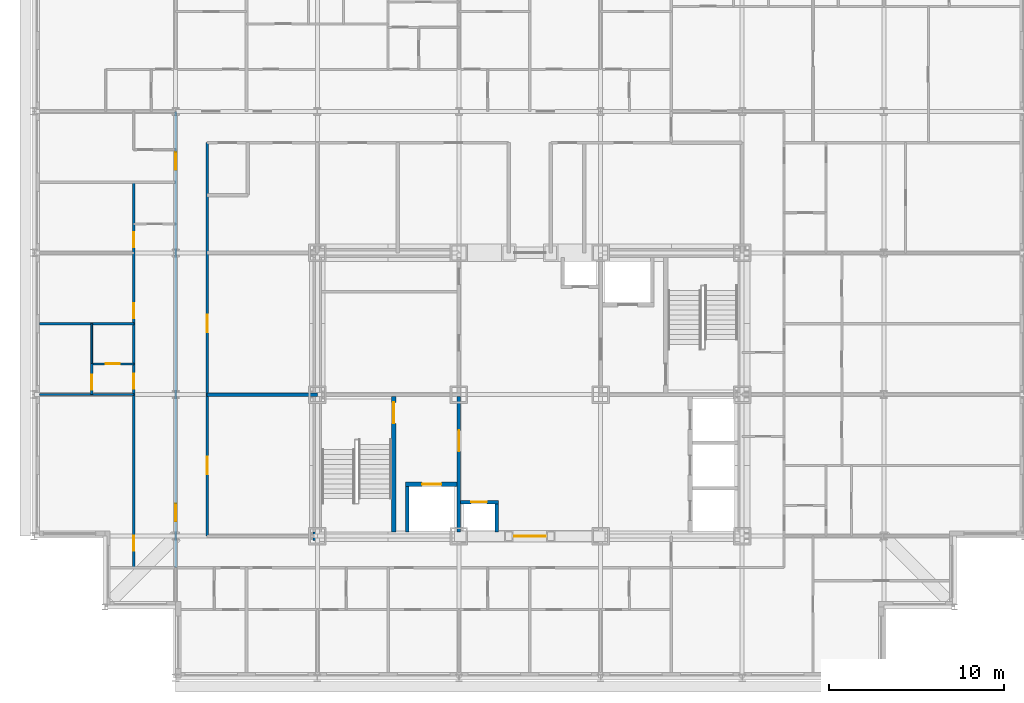
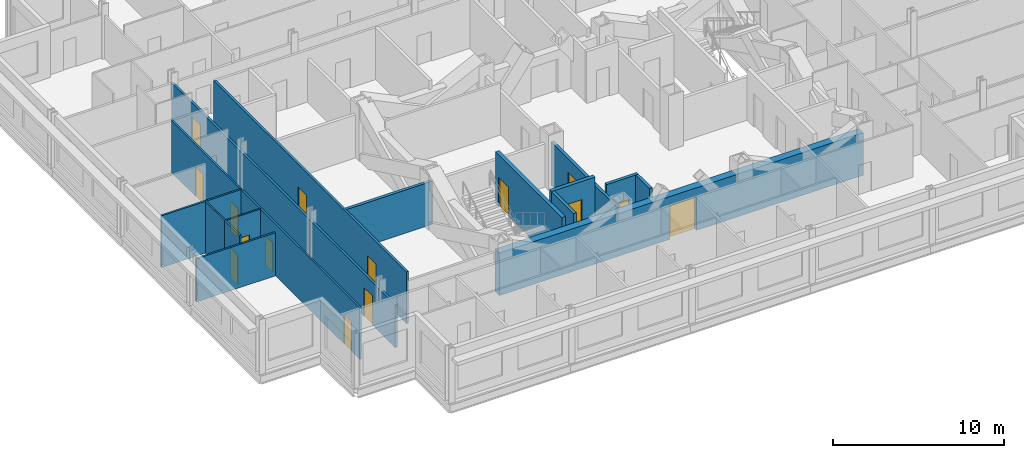
# One storey, part 8 of 16: 16 walls, 15 doors, 15 openings.
"""IFC4 building model written with IfcOpenShell, lengths in metres."""

from ifc_helpers import new_model, si_unit, direction, frame, frame_2d, origin, place, context, subcontext, project, spatial, rectangle, extrude, material, layer, layer_set, type_object, element, fill, save


model = new_model("IFC4")

# Units and contexts
model_context = context("Model", 3, precision=1e-05, world=origin(), true_north=direction((0.0, 1.0)))
body_context = subcontext(model_context, "Body", "Model", "MODEL_VIEW")
ifc_project = project(units=[si_unit("LENGTHUNIT", "METRE"), si_unit("AREAUNIT", "SQUARE_METRE"), si_unit("VOLUMEUNIT", "CUBIC_METRE"), si_unit("PLANEANGLEUNIT", "RADIAN"), si_unit("MASSUNIT", "GRAM", prefix="KILO")], contexts=[model_context])

# Site, building, storey
site_placement = place(None, origin())
site = spatial("IfcSite", under=ifc_project, at=site_placement, CompositionType="ELEMENT")
building_placement = place(site_placement, origin())
building = spatial("IfcBuilding", under=site, at=building_placement, Name="Kopane Lantern Tower", CompositionType="ELEMENT")
storey_placement = place(building_placement, frame((0.0, 0.0, 258.0)))
storey = spatial("IfcBuildingStorey", under=building, at=storey_placement, Name="L66", CompositionType="ELEMENT", Elevation=258.0)

# Wall, openings, doors
ifc_material_1 = material(Name="Gypsum board on steel studs", Category="steel")
ifc_layer_1 = layer(ifc_material_1, 0.1201171875)
ifc_layer_set_1 = layer_set([ifc_layer_1], Name="APARTMENT INTERNAL WALL 120")
wall_type_1 = type_object("IfcWallType", Name="APARTMENT INTERNAL WALL 120", PredefinedType="PARTITIONING", material=ifc_layer_set_1)
wall_1_placement = place(storey_placement, frame((5.699951171875, 22.5, 0.0), z_axis=(0.0, 0.0, 1.0), x_axis=(0.0, 1.0, 0.0)))
wall_1 = element("IfcWall", 1, at=wall_1_placement, inside=storey, type_object=wall_type_1, Name="Apartment Internal Wall 120 L66", PredefinedType="PARTITIONING", context=body_context, shape_type="SweptSolid", body=[
    extrude(rectangle(XDim=22.050048828125, YDim=0.1201171875, at=frame_2d((11.02490234375, 0.0))), origin(), (0.0, 0.0, 1.0), 3.68994140625),
])
opening_1_placement = place(wall_1_placement, frame((0.97509765625, 0.0, 0.0)))
opening_1 = element("IfcOpeningElement", 2, at=opening_1_placement, cuts=wall_1, Name="Opening L66-033", PredefinedType="OPENING", context=body_context, shape_type="SweptSolid", body=[
    extrude(rectangle(XDim=0.85009765625, YDim=2.10009765625, at=frame_2d((0.425048828125, 1.050048828125))), frame((0.0, 0.070068359375, 0.0), z_axis=(0.0, -1.0, 0.0), x_axis=(1.0, 0.0, 0.0)), (0.0, 0.0, 1.0), 0.14013671875),
])
opening_2_placement = place(wall_1_placement, frame((10.22509765625, 0.0, 0.0)))
opening_2 = element("IfcOpeningElement", 3, at=opening_2_placement, cuts=wall_1, Name="Opening L66-035", PredefinedType="OPENING", context=body_context, shape_type="SweptSolid", body=[
    extrude(rectangle(XDim=0.85009765625, YDim=2.10009765625, at=frame_2d((0.425048828125, 1.050048828125))), frame((0.0, 0.070068359375, 0.0), z_axis=(0.0, -1.0, 0.0), x_axis=(1.0, 0.0, 0.0)), (0.0, 0.0, 1.0), 0.14013671875),
])
opening_3_placement = place(wall_1_placement, frame((14.27490234375, 0.0, 0.0)))
opening_3 = element("IfcOpeningElement", 4, at=opening_3_placement, cuts=wall_1, Name="Opening L66-036", PredefinedType="OPENING", context=body_context, shape_type="SweptSolid", body=[
    extrude(rectangle(XDim=0.85009765625, YDim=2.10009765625, at=frame_2d((0.425048828125, 1.050048828125))), frame((0.0, 0.070068359375, 0.0), z_axis=(0.0, -1.0, 0.0), x_axis=(1.0, 0.0, 0.0)), (0.0, 0.0, 1.0), 0.14013671875),
])
opening_4_placement = place(wall_1_placement, frame((18.324951171875, 0.0, 0.0)))
opening_4 = element("IfcOpeningElement", 5, at=opening_4_placement, cuts=wall_1, Name="Opening L66-037", PredefinedType="OPENING", context=body_context, shape_type="SweptSolid", body=[
    extrude(rectangle(XDim=0.85009765625, YDim=2.10009765625, at=frame_2d((0.425048828125, 1.050048828125))), frame((0.0, 0.070068359375, 0.0), z_axis=(0.0, -1.0, 0.0), x_axis=(1.0, 0.0, 0.0)), (0.0, 0.0, 1.0), 0.14013671875),
])
ifc_material_2 = material(Name="Timber door set", Category="wood")
door_type_1 = type_object("IfcDoorType", Name="DOOR D4 850x2100", OperationType="SINGLE_SWING_LEFT", PredefinedType="DOOR", material=ifc_material_2)
door_1_placement = place(opening_1_placement, origin())
door_1 = element("IfcDoor", 6, at=door_1_placement, inside=storey, type_object=door_type_1, Name="Door L66-033", OperationType="SINGLE_SWING_RIGHT", OverallHeight=2.10009765625, OverallWidth=0.85009765625, PredefinedType="DOOR", context=body_context, shape_type="SweptSolid", body=[
    extrude(rectangle(XDim=0.85009765625, YDim=2.10009765625, at=frame_2d((0.425048828125, 1.050048828125))), frame((0.0, 0.02490234375, 0.0), z_axis=(0.0, -1.0, 0.0), x_axis=(1.0, 0.0, 0.0)), (0.0, 0.0, 1.0), 0.050048828125),
])
fill(opening_1, door_1)
door_2_placement = place(opening_2_placement, origin())
door_2 = element("IfcDoor", 7, at=door_2_placement, inside=storey, type_object=door_type_1, Name="Door L66-035", OperationType="SINGLE_SWING_LEFT", OverallHeight=2.10009765625, OverallWidth=0.85009765625, PredefinedType="DOOR", context=body_context, shape_type="SweptSolid", body=[
    extrude(rectangle(XDim=0.85009765625, YDim=2.10009765625, at=frame_2d((0.425048828125, 1.050048828125))), frame((0.0, 0.02490234375, 0.0), z_axis=(0.0, -1.0, 0.0), x_axis=(1.0, 0.0, 0.0)), (0.0, 0.0, 1.0), 0.050048828125),
])
fill(opening_2, door_2)
door_3_placement = place(opening_3_placement, origin())
door_3 = element("IfcDoor", 8, at=door_3_placement, inside=storey, type_object=door_type_1, Name="Door L66-036", OperationType="SINGLE_SWING_LEFT", OverallHeight=2.10009765625, OverallWidth=0.85009765625, PredefinedType="DOOR", context=body_context, shape_type="SweptSolid", body=[
    extrude(rectangle(XDim=0.85009765625, YDim=2.10009765625, at=frame_2d((0.425048828125, 1.050048828125))), frame((0.0, 0.02490234375, 0.0), z_axis=(0.0, -1.0, 0.0), x_axis=(1.0, 0.0, 0.0)), (0.0, 0.0, 1.0), 0.050048828125),
])
fill(opening_3, door_3)
door_4_placement = place(opening_4_placement, origin())
door_4 = element("IfcDoor", 9, at=door_4_placement, inside=storey, type_object=door_type_1, Name="Door L66-037", OperationType="SINGLE_SWING_LEFT", OverallHeight=2.10009765625, OverallWidth=0.85009765625, PredefinedType="DOOR", context=body_context, shape_type="SweptSolid", body=[
    extrude(rectangle(XDim=0.85009765625, YDim=2.10009765625, at=frame_2d((0.425048828125, 1.050048828125))), frame((0.0, 0.02490234375, 0.0), z_axis=(0.0, -1.0, 0.0), x_axis=(1.0, 0.0, 0.0)), (0.0, 0.0, 1.0), 0.050048828125),
])
fill(opening_4, door_4)

# Walls
wall_2_placement = place(storey_placement, frame((5.699951171875, 32.39990234375, 0.0), z_axis=(0.0, 0.0, 1.0), x_axis=(-1.0, 0.0, 0.0)))
element("IfcWall", 10, at=wall_2_placement, inside=storey, type_object=wall_type_1, Name="Apartment Internal Wall 120 L66", PredefinedType="PARTITIONING", context=body_context, shape_type="SweptSolid", body=[
    extrude(rectangle(XDim=5.39990234375, YDim=0.1201171875, at=frame_2d((2.699951171875, 0.0))), origin(), (0.0, 0.0, 1.0), 3.077880859375),
])
wall_3_placement = place(storey_placement, frame((5.699951171875, 36.449951171875, 0.0), z_axis=(0.0, 0.0, 1.0), x_axis=(-1.0, 0.0, 0.0)))
element("IfcWall", 11, at=wall_3_placement, inside=storey, type_object=wall_type_1, Name="Apartment Internal Wall 120 L66", PredefinedType="PARTITIONING", context=body_context, shape_type="SweptSolid", body=[
    extrude(rectangle(XDim=5.39990234375, YDim=0.1201171875, at=frame_2d((2.699951171875, 0.0))), origin(), (0.0, 0.0, 1.0), 3.68994140625),
])

# Wall, opening, door
wall_4_placement = place(storey_placement, frame((3.300048828125, 32.39990234375, 0.0), z_axis=(0.0, 0.0, 1.0), x_axis=(0.0, 1.0, 0.0)))
wall_4 = element("IfcWall", 12, at=wall_4_placement, inside=storey, type_object=wall_type_1, Name="Apartment Internal Wall 120 L66", PredefinedType="PARTITIONING", context=body_context, shape_type="SweptSolid", body=[
    extrude(rectangle(XDim=1.760009765625, YDim=0.1201171875, at=frame_2d((0.8798828125, 0.0))), origin(), (0.0, 0.0, 1.0), 3.68994140625),
])
opening_5_placement = place(wall_4_placement, frame((0.27490234375, 0.0, 0.0)))
opening_5 = element("IfcOpeningElement", 13, at=opening_5_placement, cuts=wall_4, Name="Opening L66-066", PredefinedType="OPENING", context=body_context, shape_type="SweptSolid", body=[
    extrude(rectangle(XDim=0.85009765625, YDim=2.10009765625, at=frame_2d((0.425048828125, 1.050048828125))), frame((0.0, 0.070068359375, 0.0), z_axis=(0.0, -1.0, 0.0), x_axis=(1.0, 0.0, 0.0)), (0.0, 0.0, 1.0), 0.14013671875),
])
door_5_placement = place(opening_5_placement, origin())
door_5 = element("IfcDoor", 14, at=door_5_placement, inside=storey, type_object=door_type_1, Name="Door L66-066", OperationType="SINGLE_SWING_LEFT", OverallHeight=2.10009765625, OverallWidth=0.85009765625, PredefinedType="DOOR", context=body_context, shape_type="SweptSolid", body=[
    extrude(rectangle(XDim=0.85009765625, YDim=2.10009765625, at=frame_2d((0.425048828125, 1.050048828125))), frame((0.0, 0.02490234375, 0.0), z_axis=(0.0, -1.0, 0.0), x_axis=(1.0, 0.0, 0.0)), (0.0, 0.0, 1.0), 0.050048828125),
])
fill(opening_5, door_5)

ifc_material_3 = material(Name="Moisture-resistant board on steel studs", Category="steel")
ifc_layer_2 = layer(ifc_material_3, 0.10009765625)
ifc_layer_set_2 = layer_set([ifc_layer_2], Name="BATHROOM WALL 100")
wall_type_2 = type_object("IfcWallType", Name="BATHROOM WALL 100", PredefinedType="PARTITIONING", material=ifc_layer_set_2)
wall_5_placement = place(storey_placement, frame((5.699951171875, 34.14990234375, 0.0), z_axis=(0.0, 0.0, 1.0), x_axis=(-1.0, 0.0, 0.0)))
wall_5 = element("IfcWall", 15, at=wall_5_placement, inside=storey, type_object=wall_type_2, Name="Bathroom Wall 100 L66", PredefinedType="PARTITIONING", context=body_context, shape_type="SweptSolid", body=[
    extrude(rectangle(XDim=2.39990234375, YDim=0.10009765625, at=frame_2d((1.199951171875, 0.0))), origin(), (0.0, 0.0, 1.0), 3.68994140625),
])
opening_6_placement = place(wall_5_placement, frame((0.800048828125, 0.0, 0.0)))
opening_6 = element("IfcOpeningElement", 16, at=opening_6_placement, cuts=wall_5, Name="Opening L66-034", PredefinedType="OPENING", context=body_context, shape_type="SweptSolid", body=[
    extrude(rectangle(XDim=0.800048828125, YDim=2.10009765625, at=frame_2d((0.39990234375, 1.050048828125))), frame((0.0, 0.06005859375, 0.0), z_axis=(0.0, -1.0, 0.0), x_axis=(1.0, 0.0, 0.0)), (0.0, 0.0, 1.0), 0.1201171875),
])
ifc_material_4 = material(Name="Timber door set", Category="wood")
door_type_2 = type_object("IfcDoorType", Name="DOOR D2 800x2100", OperationType="SINGLE_SWING_LEFT", PredefinedType="DOOR", material=ifc_material_4)
door_6_placement = place(opening_6_placement, origin())
door_6 = element("IfcDoor", 17, at=door_6_placement, inside=storey, type_object=door_type_2, Name="Door L66-034", OperationType="SINGLE_SWING_RIGHT", OverallHeight=2.10009765625, OverallWidth=0.800048828125, PredefinedType="DOOR", context=body_context, shape_type="SweptSolid", body=[
    extrude(rectangle(XDim=0.800048828125, YDim=2.10009765625, at=frame_2d((0.39990234375, 1.050048828125))), frame((0.0, 0.02490234375, 0.0), z_axis=(0.0, -1.0, 0.0), x_axis=(1.0, 0.0, 0.0)), (0.0, 0.0, 1.0), 0.050048828125),
])
fill(opening_6, door_6)

# Wall
wall_6_placement = place(storey_placement, frame((3.300048828125, 34.14990234375, 0.0), z_axis=(0.0, 0.0, 1.0), x_axis=(0.0, 1.0, 0.0)))
element("IfcWall", 18, at=wall_6_placement, inside=storey, type_object=wall_type_2, Name="Bathroom Wall 100 L66", PredefinedType="PARTITIONING", context=body_context, shape_type="SweptSolid", body=[
    extrude(rectangle(XDim=2.300048828125, YDim=0.10009765625, at=frame_2d((1.14990234375, 0.0))), origin(), (0.0, 0.0, 1.0), 3.68994140625),
])

# Wall, opening, door
ifc_material_5 = material(Name="Gypsum shaft wall EI 120", Category="gypsum")
ifc_layer_3 = layer(ifc_material_5, 0.5)
ifc_layer_set_3 = layer_set([ifc_layer_3], Name="CORE PERIMETER WALL 500 EI 120")
wall_type_3 = type_object("IfcWallType", Name="CORE PERIMETER WALL 500 EI 120", PredefinedType="SOLIDWALL", material=ifc_layer_set_3)
wall_7_placement = place(storey_placement, frame((15.949951171875, 24.300048828125, 0.0), z_axis=(0.0, 0.0, 1.0), x_axis=(1.0, 0.0, 0.0)))
wall_7 = element("IfcWall", 19, at=wall_7_placement, inside=storey, type_object=wall_type_3, Name="Core shaft wall L66 PS", PredefinedType="SOLIDWALL", context=body_context, shape_type="SweptSolid", body=[
    extrude(rectangle(XDim=24.550048828125, YDim=0.5, at=frame_2d((12.27490234375, 0.0))), origin(), (0.0, 0.0, 1.0), 3.0400390625),
])
opening_7_placement = place(wall_7_placement, frame((11.5, 0.0, 0.0)))
opening_7 = element("IfcOpeningElement", 20, at=opening_7_placement, cuts=wall_7, Name="Opening 66.CE-S", PredefinedType="OPENING", context=body_context, shape_type="SweptSolid", body=[
    extrude(rectangle(XDim=1.800048828125, YDim=2.39990234375, at=frame_2d((0.89990234375, 1.199951171875))), frame((0.0, 0.260009765625, 0.0), z_axis=(0.0, -1.0, 0.0), x_axis=(1.0, 0.0, 0.0)), (0.0, 0.0, 1.0), 0.52001953125),
])
ifc_material_6 = material(Name="Steel door set", Category="steel")
door_type_3 = type_object("IfcDoorType", Name="CORE ENTRY DOOR 1800x2400 FD60S", OperationType="DOUBLE_DOOR_SINGLE_SWING", PredefinedType="DOOR", material=ifc_material_6)
door_7_placement = place(opening_7_placement, origin())
door_7 = element("IfcDoor", 21, at=door_7_placement, inside=storey, type_object=door_type_3, Name="Core entry door L66 south", OperationType="DOUBLE_DOOR_SINGLE_SWING", OverallHeight=2.39990234375, OverallWidth=1.800048828125, PredefinedType="DOOR", context=body_context, shape_type="SweptSolid", body=[
    extrude(rectangle(XDim=1.800048828125, YDim=2.39990234375, at=frame_2d((0.89990234375, 1.199951171875))), frame((0.0, 0.02490234375, 0.0), z_axis=(0.0, -1.0, 0.0), x_axis=(1.0, 0.0, 0.0)), (0.0, 0.0, 1.0), 0.050048828125),
])
fill(opening_7, door_7)

ifc_material_7 = material(Name="Gypsum shaft wall EI 120", Category="gypsum")
ifc_layer_4 = layer(ifc_material_7, 0.25)
ifc_layer_set_4 = layer_set([ifc_layer_4], Name="CORE SHAFT WALL 250 EI 120")
wall_type_4 = type_object("IfcWallType", Name="CORE SHAFT WALL 250 EI 120", PredefinedType="SOLIDWALL", material=ifc_layer_set_4)
wall_8_placement = place(storey_placement, frame((20.574951171875, 24.550048828125, 0.0), z_axis=(0.0, 0.0, 1.0), x_axis=(0.0, 1.0, 0.0)))
wall_8 = element("IfcWall", 22, at=wall_8_placement, inside=storey, type_object=wall_type_4, Name="Core shaft wall L66 XST1", PredefinedType="SOLIDWALL", context=body_context, shape_type="SweptSolid", body=[
    extrude(rectangle(XDim=7.75, YDim=0.25, at=frame_2d((3.875, 0.0))), origin(), (0.0, 0.0, 1.0), 3.68994140625),
])
opening_8_placement = place(wall_8_placement, frame((6.199951171875, 0.0, 0.0)))
opening_8 = element("IfcOpeningElement", 23, at=opening_8_placement, cuts=wall_8, Name="Opening 66.SD1", PredefinedType="OPENING", context=body_context, shape_type="SweptSolid", body=[
    extrude(rectangle(XDim=1.199951171875, YDim=2.10009765625, at=frame_2d((0.60009765625, 1.050048828125))), frame((0.0, 0.135009765625, 0.0), z_axis=(0.0, -1.0, 0.0), x_axis=(1.0, 0.0, 0.0)), (0.0, 0.0, 1.0), 0.27001953125),
])
ifc_material_8 = material(Name="Steel door set", Category="steel")
door_type_4 = type_object("IfcDoorType", Name="STAIR DOOR 1200x2100 FD60S", OperationType="SINGLE_SWING_LEFT", PredefinedType="DOOR", material=ifc_material_8)
door_8_placement = place(opening_8_placement, origin())
door_8 = element("IfcDoor", 24, at=door_8_placement, inside=storey, type_object=door_type_4, Name="Stair door ST1 L66", OperationType="SINGLE_SWING_LEFT", OverallHeight=2.10009765625, OverallWidth=1.199951171875, PredefinedType="DOOR", context=body_context, shape_type="SweptSolid", body=[
    extrude(rectangle(XDim=1.199951171875, YDim=2.10009765625, at=frame_2d((0.60009765625, 1.050048828125))), frame((0.0, 0.02490234375, 0.0), z_axis=(0.0, -1.0, 0.0), x_axis=(1.0, 0.0, 0.0)), (0.0, 0.0, 1.0), 0.050048828125),
])
fill(opening_8, door_8)

wall_9_placement = place(storey_placement, frame((21.25, 27.27490234375, 0.0), z_axis=(0.0, 0.0, 1.0), x_axis=(1.0, 0.0, 0.0)))
wall_9 = element("IfcWall", 25, at=wall_9_placement, inside=storey, type_object=wall_type_4, Name="Core shaft wall L66 YLF1", PredefinedType="SOLIDWALL", context=body_context, shape_type="SweptSolid", body=[
    extrude(rectangle(XDim=2.949951171875, YDim=0.25, at=frame_2d((1.47509765625, 0.0))), origin(), (0.0, 0.0, 1.0), 3.68994140625),
])
opening_9_placement = place(wall_9_placement, frame((0.949951171875, 0.0, 0.0)))
opening_9 = element("IfcOpeningElement", 26, at=opening_9_placement, cuts=wall_9, Name="Opening 66.LD-LF1", PredefinedType="OPENING", context=body_context, shape_type="SweptSolid", body=[
    extrude(rectangle(XDim=1.10009765625, YDim=2.39990234375, at=frame_2d((0.550048828125, 1.199951171875))), frame((0.0, 0.135009765625, 0.0), z_axis=(0.0, -1.0, 0.0), x_axis=(1.0, 0.0, 0.0)), (0.0, 0.0, 1.0), 0.27001953125),
])
ifc_material_9 = material(Name="Steel door set", Category="steel")
door_type_5 = type_object("IfcDoorType", Name="LIFT LANDING DOOR 1100x2400 FD60", OperationType="DOUBLE_DOOR_SLIDING", PredefinedType="DOOR", material=ifc_material_9)
door_9_placement = place(opening_9_placement, origin())
door_9 = element("IfcDoor", 27, at=door_9_placement, inside=storey, type_object=door_type_5, Name="Landing door LF1 L66", OperationType="DOUBLE_DOOR_SLIDING", OverallHeight=2.39990234375, OverallWidth=1.10009765625, PredefinedType="DOOR", context=body_context, shape_type="SweptSolid", body=[
    extrude(rectangle(XDim=1.10009765625, YDim=2.39990234375, at=frame_2d((0.550048828125, 1.199951171875))), frame((0.0, 0.02490234375, 0.0), z_axis=(0.0, -1.0, 0.0), x_axis=(1.0, 0.0, 0.0)), (0.0, 0.0, 1.0), 0.050048828125),
])
fill(opening_9, door_9)

# Wall, openings, doors
ifc_material_10 = material(Name="Gypsum board on steel studs", Category="steel")
ifc_layer_5 = layer(ifc_material_10, 0.14990234375)
ifc_layer_set_5 = layer_set([ifc_layer_5], Name="CORRIDOR WALL 150 EI 60")
wall_type_5 = type_object("IfcWallType", Name="CORRIDOR WALL 150 EI 60", PredefinedType="PARTITIONING", material=ifc_layer_set_5)
wall_10_placement = place(storey_placement, frame((8.10009765625, 22.5, 0.0), z_axis=(0.0, 0.0, 1.0), x_axis=(0.0, 1.0, 0.0)))
wall_10 = element("IfcWall", 28, at=wall_10_placement, inside=storey, type_object=wall_type_5, Name="Corridor Wall 150 Ei 60 L66", PredefinedType="PARTITIONING", context=body_context, shape_type="SweptSolid", body=[
    extrude(rectangle(XDim=26.10009765625, YDim=0.14990234375, at=frame_2d((13.050048828125, 0.0))), origin(), (0.0, 0.0, 1.0), 3.077880859375),
])
opening_10_placement = place(wall_10_placement, frame((2.64990234375, 0.0, 0.0)))
opening_10 = element("IfcOpeningElement", 29, at=opening_10_placement, cuts=wall_10, Name="Opening L66-032", PredefinedType="OPENING", context=body_context, shape_type="SweptSolid", body=[
    extrude(rectangle(XDim=1.0, YDim=2.10009765625, at=frame_2d((0.5, 1.050048828125))), frame((0.0, 0.0849609375, 0.0), z_axis=(0.0, -1.0, 0.0), x_axis=(1.0, 0.0, 0.0)), (0.0, 0.0, 1.0), 0.169921875),
])
opening_11_placement = place(wall_10_placement, frame((22.75, 0.0, 0.0)))
opening_11 = element("IfcOpeningElement", 30, at=opening_11_placement, cuts=wall_10, Name="Opening L66-039", PredefinedType="OPENING", context=body_context, shape_type="SweptSolid", body=[
    extrude(rectangle(XDim=1.0, YDim=2.10009765625, at=frame_2d((0.5, 1.050048828125))), frame((0.0, 0.0849609375, 0.0), z_axis=(0.0, -1.0, 0.0), x_axis=(1.0, 0.0, 0.0)), (0.0, 0.0, 1.0), 0.169921875),
])
ifc_material_11 = material(Name="Steel door set", Category="steel")
door_type_6 = type_object("IfcDoorType", Name="DOOR D3 1000x2100 FD30S", OperationType="SINGLE_SWING_LEFT", PredefinedType="DOOR", material=ifc_material_11)
door_10_placement = place(opening_10_placement, origin())
door_10 = element("IfcDoor", 31, at=door_10_placement, inside=storey, type_object=door_type_6, Name="Door L66-032", OperationType="SINGLE_SWING_LEFT", OverallHeight=2.10009765625, OverallWidth=1.0, PredefinedType="DOOR", context=body_context, shape_type="SweptSolid", body=[
    extrude(rectangle(XDim=1.0, YDim=2.10009765625, at=frame_2d((0.5, 1.050048828125))), frame((0.0, 0.02490234375, 0.0), z_axis=(0.0, -1.0, 0.0), x_axis=(1.0, 0.0, 0.0)), (0.0, 0.0, 1.0), 0.050048828125),
])
fill(opening_10, door_10)
door_11_placement = place(opening_11_placement, origin())
door_11 = element("IfcDoor", 32, at=door_11_placement, inside=storey, type_object=door_type_6, Name="Door L66-039", OperationType="SINGLE_SWING_RIGHT", OverallHeight=2.10009765625, OverallWidth=1.0, PredefinedType="DOOR", context=body_context, shape_type="SweptSolid", body=[
    extrude(rectangle(XDim=1.0, YDim=2.10009765625, at=frame_2d((0.5, 1.050048828125))), frame((0.0, 0.02490234375, 0.0), z_axis=(0.0, -1.0, 0.0), x_axis=(1.0, 0.0, 0.0)), (0.0, 0.0, 1.0), 0.050048828125),
])
fill(opening_11, door_11)

wall_11_placement = place(storey_placement, frame((9.89990234375, 24.300048828125, 0.0), z_axis=(0.0, 0.0, 1.0), x_axis=(0.0, 1.0, 0.0)))
wall_11 = element("IfcWall", 33, at=wall_11_placement, inside=storey, type_object=wall_type_5, Name="Corridor Wall 150 Ei 60 L66", PredefinedType="PARTITIONING", context=body_context, shape_type="SweptSolid", body=[
    extrude(rectangle(XDim=22.5, YDim=0.14990234375, at=frame_2d((11.25, 0.0))), origin(), (0.0, 0.0, 1.0), 3.68994140625),
])
opening_12_placement = place(wall_11_placement, frame((3.550048828125, 0.0, 0.0)))
opening_12 = element("IfcOpeningElement", 34, at=opening_12_placement, cuts=wall_11, Name="Opening L66-001", PredefinedType="OPENING", context=body_context, shape_type="SweptSolid", body=[
    extrude(rectangle(XDim=1.0, YDim=2.10009765625, at=frame_2d((0.5, 1.050048828125))), frame((0.0, 0.0849609375, 0.0), z_axis=(0.0, -1.0, 0.0), x_axis=(1.0, 0.0, 0.0)), (0.0, 0.0, 1.0), 0.169921875),
])
opening_13_placement = place(wall_11_placement, frame((11.64990234375, 0.0, 0.0)))
opening_13 = element("IfcOpeningElement", 35, at=opening_13_placement, cuts=wall_11, Name="Opening L66-002", PredefinedType="OPENING", context=body_context, shape_type="SweptSolid", body=[
    extrude(rectangle(XDim=1.0, YDim=2.10009765625, at=frame_2d((0.5, 1.050048828125))), frame((0.0, 0.0849609375, 0.0), z_axis=(0.0, -1.0, 0.0), x_axis=(1.0, 0.0, 0.0)), (0.0, 0.0, 1.0), 0.169921875),
])
ifc_material_12 = material(Name="Steel door set", Category="steel")
door_type_7 = type_object("IfcDoorType", Name="DOOR D5 1000x2100 FD60", OperationType="SINGLE_SWING_LEFT", PredefinedType="DOOR", material=ifc_material_12)
door_12_placement = place(opening_12_placement, origin())
door_12 = element("IfcDoor", 36, at=door_12_placement, inside=storey, type_object=door_type_7, Name="Door L66-001", OperationType="SINGLE_SWING_RIGHT", OverallHeight=2.10009765625, OverallWidth=1.0, PredefinedType="DOOR", context=body_context, shape_type="SweptSolid", body=[
    extrude(rectangle(XDim=1.0, YDim=2.10009765625, at=frame_2d((0.5, 1.050048828125))), frame((0.0, 0.02490234375, 0.0), z_axis=(0.0, -1.0, 0.0), x_axis=(1.0, 0.0, 0.0)), (0.0, 0.0, 1.0), 0.050048828125),
])
fill(opening_12, door_12)
door_13_placement = place(opening_13_placement, origin())
door_13 = element("IfcDoor", 37, at=door_13_placement, inside=storey, type_object=door_type_7, Name="Door L66-002", OperationType="SINGLE_SWING_LEFT", OverallHeight=2.10009765625, OverallWidth=1.0, PredefinedType="DOOR", context=body_context, shape_type="SweptSolid", body=[
    extrude(rectangle(XDim=1.0, YDim=2.10009765625, at=frame_2d((0.5, 1.050048828125))), frame((0.0, 0.02490234375, 0.0), z_axis=(0.0, -1.0, 0.0), x_axis=(1.0, 0.0, 0.0)), (0.0, 0.0, 1.0), 0.050048828125),
])
fill(opening_13, door_13)

# Wall
ifc_material_13 = material(Name="Concrete masonry", Category="masonry")
ifc_layer_6 = layer(ifc_material_13, 0.199951171875)
ifc_layer_set_6 = layer_set([ifc_layer_6], Name="PLANT ROOM WALL 200 EI 120")
wall_type_6 = type_object("IfcWallType", Name="PLANT ROOM WALL 200 EI 120", PredefinedType="SOLIDWALL", material=ifc_layer_set_6)
wall_12_placement = place(storey_placement, frame((9.89990234375, 32.39990234375, 0.0), z_axis=(0.0, 0.0, 1.0), x_axis=(1.0, 0.0, 0.0)))
element("IfcWall", 38, at=wall_12_placement, inside=storey, type_object=wall_type_6, Name="Plant Room Wall 200 Ei 120 L66", PredefinedType="SOLIDWALL", context=body_context, shape_type="SweptSolid", body=[
    extrude(rectangle(XDim=6.300048828125, YDim=0.199951171875, at=frame_2d((3.14990234375, 0.0))), origin(), (0.0, 0.0, 1.0), 3.077880859375),
])

# Wall, opening, door
ifc_material_14 = material(Name="Gypsum shaft wall EI 120", Category="gypsum")
ifc_layer_7 = layer(ifc_material_14, 0.199951171875)
ifc_layer_set_7 = layer_set([ifc_layer_7], Name="SHAFT WALL 200 EI 120")
wall_type_7 = type_object("IfcWallType", Name="SHAFT WALL 200 EI 120", PredefinedType="SOLIDWALL", material=ifc_layer_set_7)
wall_13_placement = place(storey_placement, frame((24.300048828125, 24.550048828125, 0.0), z_axis=(0.0, 0.0, 1.0), x_axis=(0.0, 1.0, 0.0)))
wall_13 = element("IfcWall", 39, at=wall_13_placement, inside=storey, type_object=wall_type_7, Name="Core shaft wall L66 X243", PredefinedType="SOLIDWALL", context=body_context, shape_type="SweptSolid", body=[
    extrude(rectangle(XDim=7.75, YDim=0.199951171875, at=frame_2d((3.875, 0.0))), origin(), (0.0, 0.0, 1.0), 3.077880859375),
])
opening_14_placement = place(wall_13_placement, frame((4.60009765625, 0.0, 0.0)))
opening_14 = element("IfcOpeningElement", 40, at=opening_14_placement, cuts=wall_13, Name="Opening 66.FL1", PredefinedType="OPENING", context=body_context, shape_type="SweptSolid", body=[
    extrude(rectangle(XDim=1.199951171875, YDim=2.10009765625, at=frame_2d((0.60009765625, 1.050048828125))), frame((0.0, 0.10986328125, 0.0), z_axis=(0.0, -1.0, 0.0), x_axis=(1.0, 0.0, 0.0)), (0.0, 0.0, 1.0), 0.219970703125),
])
ifc_material_15 = material(Name="Steel door set", Category="steel")
door_type_8 = type_object("IfcDoorType", Name="FIREFIGHTING LOBBY DOOR 1200x2100 FD60S", OperationType="SINGLE_SWING_RIGHT", PredefinedType="DOOR", material=ifc_material_15)
door_14_placement = place(opening_14_placement, origin())
door_14 = element("IfcDoor", 41, at=door_14_placement, inside=storey, type_object=door_type_8, Name="Firefighting lobby door FL1 L66", OperationType="SINGLE_SWING_LEFT", OverallHeight=2.10009765625, OverallWidth=1.199951171875, PredefinedType="DOOR", context=body_context, shape_type="SweptSolid", body=[
    extrude(rectangle(XDim=1.199951171875, YDim=2.10009765625, at=frame_2d((0.60009765625, 1.050048828125))), frame((0.0, 0.02490234375, 0.0), z_axis=(0.0, -1.0, 0.0), x_axis=(1.0, 0.0, 0.0)), (0.0, 0.0, 1.0), 0.050048828125),
])
fill(opening_14, door_14)

# Walls
wall_14_placement = place(storey_placement, frame((21.35009765625, 24.550048828125, 0.0), z_axis=(0.0, 0.0, 1.0), x_axis=(0.0, 1.0, 0.0)))
element("IfcWall", 42, at=wall_14_placement, inside=storey, type_object=wall_type_7, Name="Core shaft wall L66 XLF1", PredefinedType="SOLIDWALL", context=body_context, shape_type="SweptSolid", body=[
    extrude(rectangle(XDim=2.599853515625, YDim=0.199951171875, at=frame_2d((1.2998046875, 0.0))), origin(), (0.0, 0.0, 1.0), 3.68994140625),
])
wall_15_placement = place(storey_placement, frame((26.449951171875, 24.550048828125, 0.0), z_axis=(0.0, 0.0, 1.0), x_axis=(0.0, 1.0, 0.0)))
element("IfcWall", 43, at=wall_15_placement, inside=storey, type_object=wall_type_7, Name="Core shaft wall L66 XRS1", PredefinedType="SOLIDWALL", context=body_context, shape_type="SweptSolid", body=[
    extrude(rectangle(XDim=1.599853515625, YDim=0.199951171875, at=frame_2d((0.7998046875, 0.0))), origin(), (0.0, 0.0, 1.0), 3.68994140625),
])

# Wall, opening, door
wall_16_placement = place(storey_placement, frame((24.39990234375, 26.25, 0.0), z_axis=(0.0, 0.0, 1.0), x_axis=(1.0, 0.0, 0.0)))
wall_16 = element("IfcWall", 44, at=wall_16_placement, inside=storey, type_object=wall_type_7, Name="Core shaft wall L66 YRS1", PredefinedType="SOLIDWALL", context=body_context, shape_type="SweptSolid", body=[
    extrude(rectangle(XDim=2.150146484375, YDim=0.199951171875, at=frame_2d((1.0751953125, 0.0))), origin(), (0.0, 0.0, 1.0), 3.68994140625),
])
opening_15_placement = place(wall_16_placement, frame((0.60009765625, 0.0, 0.0)))
opening_15 = element("IfcOpeningElement", 45, at=opening_15_placement, cuts=wall_16, Name="Opening 66.RS1", PredefinedType="OPENING", context=body_context, shape_type="SweptSolid", body=[
    extrude(rectangle(XDim=0.89990234375, YDim=2.10009765625, at=frame_2d((0.449951171875, 1.050048828125))), frame((0.0, 0.10986328125, 0.0), z_axis=(0.0, -1.0, 0.0), x_axis=(1.0, 0.0, 0.0)), (0.0, 0.0, 1.0), 0.219970703125),
])
ifc_material_16 = material(Name="Steel door set", Category="steel")
door_type_9 = type_object("IfcDoorType", Name="RISER ACCESS DOOR 900x2100 FD60", OperationType="SINGLE_SWING_LEFT", PredefinedType="DOOR", material=ifc_material_16)
door_15_placement = place(opening_15_placement, origin())
door_15 = element("IfcDoor", 46, at=door_15_placement, inside=storey, type_object=door_type_9, Name="Riser access door RS1 L66", OperationType="SINGLE_SWING_LEFT", OverallHeight=2.10009765625, OverallWidth=0.89990234375, PredefinedType="DOOR", context=body_context, shape_type="SweptSolid", body=[
    extrude(rectangle(XDim=0.89990234375, YDim=2.10009765625, at=frame_2d((0.449951171875, 1.050048828125))), frame((0.0, 0.02490234375, 0.0), z_axis=(0.0, -1.0, 0.0), x_axis=(1.0, 0.0, 0.0)), (0.0, 0.0, 1.0), 0.050048828125),
])
fill(opening_15, door_15)

save(model, "model.ifc")
